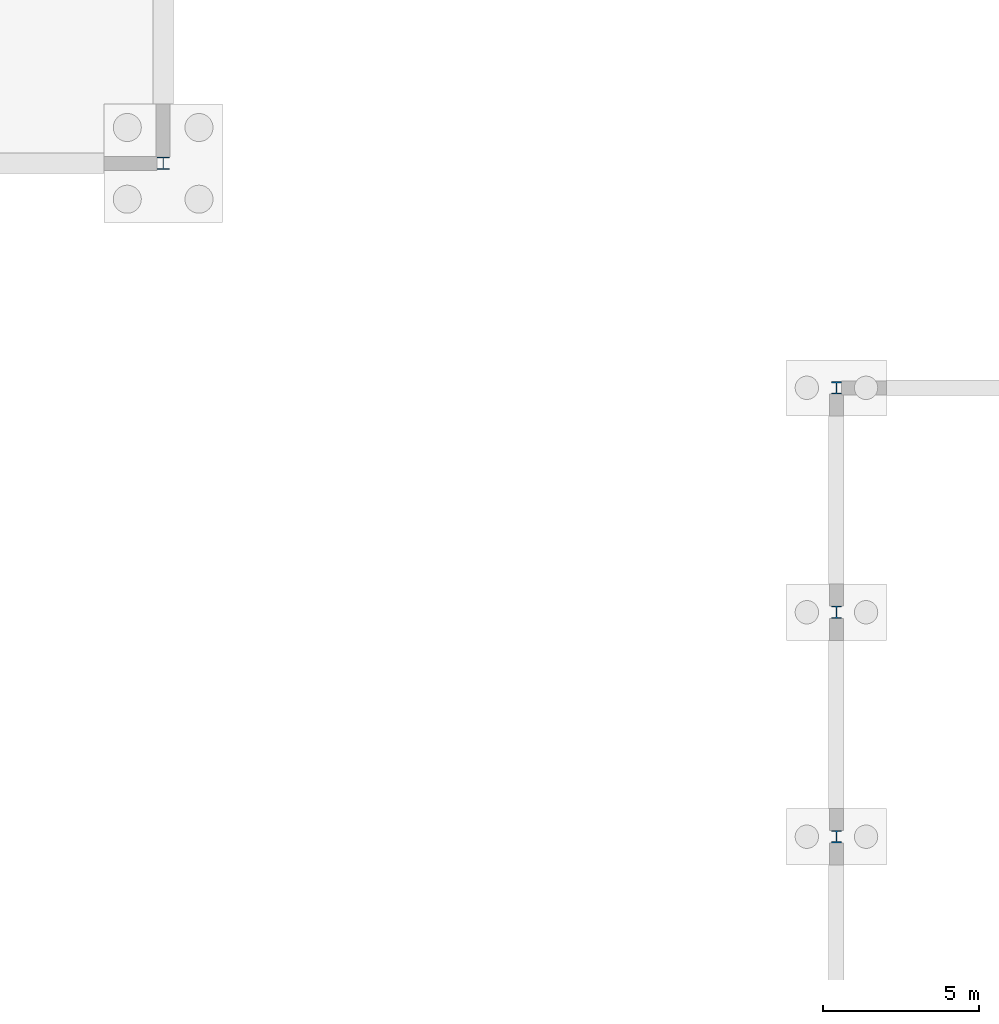
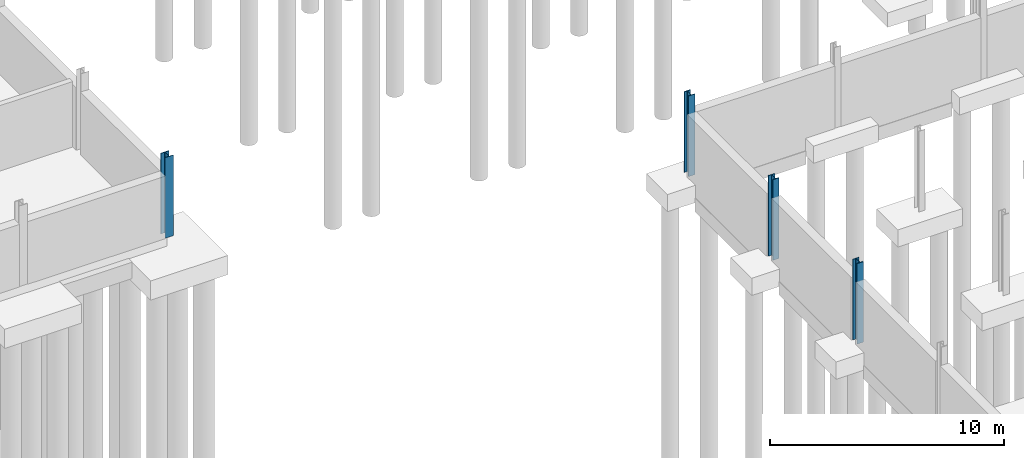
# One storey, part 14 of 50: 4 columns.
"""IFC4 building model written with IfcOpenShell, lengths in metres."""

from ifc_helpers import new_model, si_unit, direction, frame, origin, origin_2d, place, context, subcontext, project, spatial, i_section, extrude, material, material_profile, profile_set, type_object, element, save


model = new_model("IFC4")

# Units and contexts
model_context = context("Model", 3, precision=1e-05, world=origin(), true_north=direction((0.0, 1.0)))
body_context = subcontext(model_context, "Body", "Model", "MODEL_VIEW")
ifc_project = project(units=[si_unit("LENGTHUNIT", "METRE"), si_unit("AREAUNIT", "SQUARE_METRE"), si_unit("VOLUMEUNIT", "CUBIC_METRE"), si_unit("PLANEANGLEUNIT", "RADIAN"), si_unit("MASSUNIT", "GRAM", prefix="KILO")], contexts=[model_context])

# Site, building, storey
site_placement = place(None, origin())
site = spatial("IfcSite", under=ifc_project, at=site_placement, CompositionType="ELEMENT")
building_placement = place(site_placement, origin())
building = spatial("IfcBuilding", under=site, at=building_placement, Name="Narikvali Park Central Library", CompositionType="ELEMENT")
storey_placement = place(building_placement, frame((0.0, 0.0, -4.199951171875)))
storey = spatial("IfcBuildingStorey", under=building, at=storey_placement, Name="B1", CompositionType="ELEMENT", Elevation=-4.199951171875)

# Columns
ifc_material = material(Name="Steel S355", Category="steel")
ifc_material_profile_1 = material_profile(ifc_material, i_section(OverallWidth=0.40087890625, OverallDepth=0.39892578125, WebThickness=0.0185546875, FlangeThickness=0.029052734375, FilletRadius=0.014892578125, at=origin_2d()), Name="HD 400x314")
ifc_profile_set_1 = profile_set([ifc_material_profile_1], Name="Steel S355")
column_type_1 = type_object("IfcColumnType", Name="Steel Column HD400x314", PredefinedType="COLUMN", material=ifc_profile_set_1)
column_placement = place(storey_placement, frame((100.800048828125, 57.60009765625, 0.0), z_axis=(0.0, 0.0, 1.0), x_axis=(1.0, 0.0, 0.0)))
element("IfcColumn", 1, at=column_placement, inside=storey, type_object=column_type_1, Name="V1 B1 Column (100.8,57.6)", PredefinedType="COLUMN", context=body_context, shape_type="SweptSolid", body=[
    extrude(i_section(OverallWidth=0.40087890625, OverallDepth=0.39892578125, WebThickness=0.0185546875, FlangeThickness=0.029052734375, FilletRadius=0.014892578125, at=origin_2d()), origin(), (0.0, 0.0, 1.0), 4.199951171875),
])
ifc_material_profile_2 = material_profile(ifc_material, i_section(OverallWidth=0.30810546875, OverallDepth=0.39501953125, WebThickness=0.02099609375, FlangeThickness=0.035888671875, FilletRadius=0.027099609375, at=origin_2d()), Name="HEM 360")
ifc_profile_set_2 = profile_set([ifc_material_profile_2], Name="Steel S355")
column_type_2 = type_object("IfcColumnType", Name="Steel Column HEM360", PredefinedType="COLUMN", material=ifc_profile_set_2)
for number, where, z_axis, x_axis, name in (
    (2, (122.39990234375, 36.0, 0.0), (0.0, 0.0, 1.0), (1.0, 0.0, 0.0), "V6 B1 Foundation Column (122.4,36.0)"),
    (3, (122.39990234375, 43.199951171875, 0.0), (0.0, 0.0, 1.0), (1.0, 0.0, 0.0), "V6 B1 Foundation Column (122.4,43.2)"),
    (4, (122.39990234375, 50.39990234375, 0.0), (0.0, 0.0, 1.0), (1.0, 0.0, 0.0), "V6 B1 Foundation Column (122.4,50.4)"),
):
    element("IfcColumn", number, at=place(storey_placement, frame(where, z_axis=z_axis, x_axis=x_axis)), inside=storey, type_object=column_type_2, Name=name, PredefinedType="COLUMN", context=body_context, shape_type="SweptSolid", body=[
        extrude(i_section(OverallWidth=0.30810546875, OverallDepth=0.39501953125, WebThickness=0.02099609375, FlangeThickness=0.035888671875, FilletRadius=0.027099609375, at=origin_2d()), origin(), (0.0, 0.0, 1.0), 4.199951171875),
    ])

save(model, "model.ifc")
